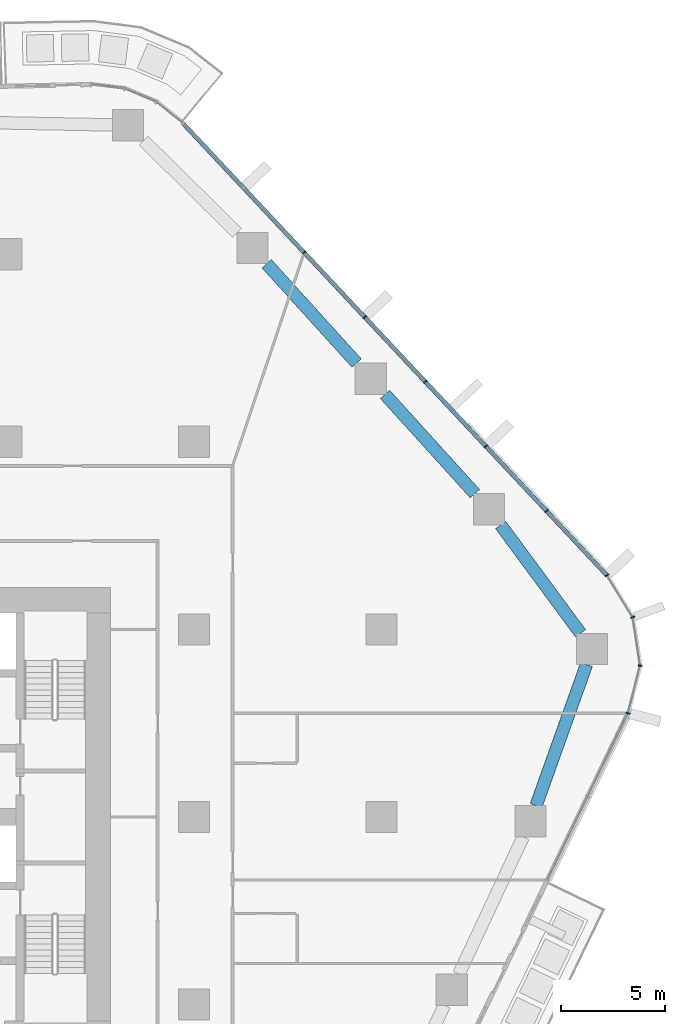
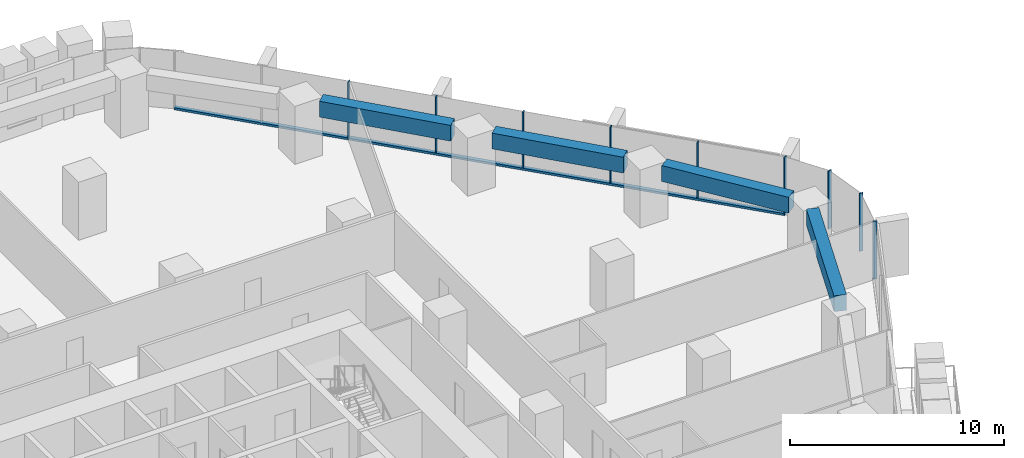
# One storey, part 7 of 24: 10 members, 4 beams, 2 elements without a shape of their own.
"""IFC4 building model written with IfcOpenShell, lengths in metres."""

from ifc_helpers import new_model, si_unit, direction, frame, origin, origin_2d, place, context, subcontext, project, spatial, rectangle, extrude, material, layer, layer_set, material_profile, profile_set, type_object, element, aggregate, save


model = new_model("IFC4")

# Units and contexts
model_context = context("Model", 3, precision=1e-05, world=origin(), true_north=direction((0.0, 1.0)))
body_context = subcontext(model_context, "Body", "Model", "MODEL_VIEW")
ifc_project = project(units=[si_unit("LENGTHUNIT", "METRE"), si_unit("AREAUNIT", "SQUARE_METRE"), si_unit("VOLUMEUNIT", "CUBIC_METRE"), si_unit("PLANEANGLEUNIT", "RADIAN"), si_unit("MASSUNIT", "GRAM", prefix="KILO")], contexts=[model_context])

# Site, building, storey
site_placement = place(None, origin())
site = spatial("IfcSite", under=ifc_project, at=site_placement, CompositionType="ELEMENT")
building_placement = place(site_placement, origin())
building = spatial("IfcBuilding", under=site, at=building_placement, Name="Dongbaek Canopy Tower", CompositionType="ELEMENT")
storey_placement = place(building_placement, frame((0.0, 0.0, 47.699951171875)))
storey = spatial("IfcBuildingStorey", under=building, at=storey_placement, Name="L07", CompositionType="ELEMENT", Elevation=47.699951171875)

# Curtain wall, members
ifc_material_1 = material(Name="Aluminium 6063-T6 pale anodised", Category="aluminium")
ifc_layer = layer(ifc_material_1, 0.199951171875)
ifc_layer_set = layer_set([ifc_layer], Name="CW-1 unitised tower curtain wall")
curtain_wall_type = type_object("IfcCurtainWallType", Name="CW-1 unitised tower curtain wall", PredefinedType="NOTDEFINED", material=ifc_layer_set)
curtain_wall_1_placement = place(storey_placement, origin())
curtain_wall_1 = element("IfcCurtainWall", 1, at=curtain_wall_1_placement, inside=storey, type_object=curtain_wall_type, Name="CW-1 curtain wall K0.1", PredefinedType="NOTDEFINED")
ifc_material_2 = material(Name="Aluminium 6063-T6 pale anodised", Category="aluminium")
ifc_material_profile_1 = material_profile(ifc_material_2, rectangle(XDim=0.199951171875, YDim=0.06005859375, at=origin_2d()), Name="CW-1 mullion 60 x 200")
ifc_profile_set_1 = profile_set([ifc_material_profile_1], Name="Aluminium 6063-T6 pale anodised")
member_type_1 = type_object("IfcMemberType", Name="CW-1 mullion 60 x 200", PredefinedType="MULLION", material=ifc_profile_set_1)
member_1_placement = place(storey_placement, frame((38.8212890625, 4.977294921875, 0.0), z_axis=(0.0, 0.0, 1.0), x_axis=(0.968988452796, -0.247106006298, 0.0)))
member_1 = element("IfcMember", 2, at=member_1_placement, type_object=member_type_1, Name="CW-1 mullion K0.1.1", PredefinedType="MULLION", context=body_context, shape_type="SweptSolid", body=[
    extrude(rectangle(XDim=0.199951171875, YDim=0.06005859375, at=origin_2d()), origin(), (0.0, 0.0, 1.0), 3.300048828125),
])
member_2_placement = place(storey_placement, frame((39.40478515625, 7.264892578125, 0.0), z_axis=(0.0, 0.0, 1.0), x_axis=(0.998796081785, -0.049054938691, 0.0)))
member_2 = element("IfcMember", 3, at=member_2_placement, type_object=member_type_1, Name="CW-1 mullion K0.1.2", PredefinedType="MULLION", context=body_context, shape_type="SweptSolid", body=[
    extrude(rectangle(XDim=0.199951171875, YDim=0.06005859375, at=origin_2d()), origin(), (0.0, 0.0, 1.0), 3.300048828125),
])
member_3_placement = place(storey_placement, frame((39.050048828125, 9.588623046875, 0.0), z_axis=(0.0, 0.0, 1.0), x_axis=(0.938629484797, 0.344927079641, 0.0)))
member_3 = element("IfcMember", 4, at=member_3_placement, type_object=member_type_1, Name="CW-1 mullion K0.1.3", PredefinedType="MULLION", context=body_context, shape_type="SweptSolid", body=[
    extrude(rectangle(XDim=0.199951171875, YDim=0.06005859375, at=origin_2d()), origin(), (0.0, 0.0, 1.0), 3.300048828125),
])
member_4_placement = place(storey_placement, frame((37.810302734375, 11.597900390625, 0.0), z_axis=(0.0, 0.0, 1.0), x_axis=(0.851068704679, 0.525054339964, 0.0)))
member_4 = element("IfcMember", 5, at=member_4_placement, type_object=member_type_1, Name="CW-1 mullion K0.1.4", PredefinedType="MULLION", context=body_context, shape_type="SweptSolid", body=[
    extrude(rectangle(XDim=0.199951171875, YDim=0.06005859375, at=origin_2d()), origin(), (0.0, 0.0, 1.0), 3.300048828125),
])
aggregate(curtain_wall_1, [member_1, member_2, member_3, member_4])

curtain_wall_2_placement = place(storey_placement, origin())
curtain_wall_2 = element("IfcCurtainWall", 6, at=curtain_wall_2_placement, inside=storey, type_object=curtain_wall_type, Name="CW-1 curtain wall F0.1", PredefinedType="NOTDEFINED")
member_5_placement = place(storey_placement, frame((34.910400390625, 14.689453125, 0.1201171875), z_axis=(0.0, 0.0, 1.0), x_axis=(0.729369243815, 0.684120242484, 0.0)))
member_5 = element("IfcMember", 7, at=member_5_placement, type_object=member_type_1, Name="CW-1 mullion F0.1.2", PredefinedType="MULLION", context=body_context, shape_type="SweptSolid", body=[
    extrude(rectangle(XDim=0.199951171875, YDim=0.06005859375, at=origin_2d()), origin(), (0.0, 0.0, 1.0), 3.179931640625),
])
member_6_placement = place(storey_placement, frame((32.003662109375, 17.78857421875, 0.1201171875), z_axis=(0.0, 0.0, 1.0), x_axis=(0.729369243815, 0.684120242484, 0.0)))
member_6 = element("IfcMember", 8, at=member_6_placement, type_object=member_type_1, Name="CW-1 mullion F0.1.3", PredefinedType="MULLION", context=body_context, shape_type="SweptSolid", body=[
    extrude(rectangle(XDim=0.199951171875, YDim=0.06005859375, at=origin_2d()), origin(), (0.0, 0.0, 1.0), 3.179931640625),
])
member_7_placement = place(storey_placement, frame((29.096923828125, 20.8876953125, 0.1201171875), z_axis=(0.0, 0.0, 1.0), x_axis=(0.729369243815, 0.684120242484, 0.0)))
member_7 = element("IfcMember", 9, at=member_7_placement, type_object=member_type_1, Name="CW-1 mullion F0.1.4", PredefinedType="MULLION", context=body_context, shape_type="SweptSolid", body=[
    extrude(rectangle(XDim=0.199951171875, YDim=0.06005859375, at=origin_2d()), origin(), (0.0, 0.0, 1.0), 3.179931640625),
])
member_8_placement = place(storey_placement, frame((26.190185546875, 23.986572265625, 0.1201171875), z_axis=(0.0, 0.0, 1.0), x_axis=(0.729369243815, 0.684120242484, 0.0)))
member_8 = element("IfcMember", 10, at=member_8_placement, type_object=member_type_1, Name="CW-1 mullion F0.1.5", PredefinedType="MULLION", context=body_context, shape_type="SweptSolid", body=[
    extrude(rectangle(XDim=0.199951171875, YDim=0.06005859375, at=origin_2d()), origin(), (0.0, 0.0, 1.0), 3.179931640625),
])
member_9_placement = place(storey_placement, frame((23.283447265625, 27.085693359375, 0.1201171875), z_axis=(0.0, 0.0, 1.0), x_axis=(0.729369243815, 0.684120242484, 0.0)))
member_9 = element("IfcMember", 11, at=member_9_placement, type_object=member_type_1, Name="CW-1 mullion F0.1.6", PredefinedType="MULLION", context=body_context, shape_type="SweptSolid", body=[
    extrude(rectangle(XDim=0.199951171875, YDim=0.06005859375, at=origin_2d()), origin(), (0.0, 0.0, 1.0), 3.179931640625),
])
ifc_material_3 = material(Name="Aluminium 6063-T6 pale anodised", Category="aluminium")
ifc_material_profile_2 = material_profile(ifc_material_3, rectangle(XDim=0.199951171875, YDim=0.1201171875, at=origin_2d()), Name="CW-1 transom 120 x 200")
ifc_profile_set_2 = profile_set([ifc_material_profile_2], Name="Aluminium 6063-T6 pale anodised")
member_type_2 = type_object("IfcMemberType", Name="CW-1 transom 120 x 200", PredefinedType="USERDEFINED", material=ifc_profile_set_2)
member_10_placement = place(storey_placement, frame((37.810302734375, 11.597900390625, 0.06005859375), z_axis=(-0.684121423507, 0.72936813606, 0.0), x_axis=(-0.72936813606, -0.684121423507, 0.0)))
member_10 = element("IfcMember", 12, at=member_10_placement, type_object=member_type_2, Name="CW-1 transom F0.1.1", ObjectType="TRANSOM", PredefinedType="USERDEFINED", context=body_context, shape_type="SweptSolid", body=[
    extrude(rectangle(XDim=0.199951171875, YDim=0.1201171875, at=origin_2d()), origin(), (0.0, 0.0, 1.0), 29.725341796875),
])
aggregate(curtain_wall_2, [member_5, member_6, member_7, member_8, member_9, member_10])

# Beams
ifc_material_4 = material(Name="Concrete C80", Category="concrete")
ifc_material_profile_3 = material_profile(ifc_material_4, rectangle(XDim=0.60009765625, YDim=0.89990234375, at=origin_2d()), Name="RC EDGE BEAM 600x900 C80")
ifc_profile_set_3 = profile_set([ifc_material_profile_3], Name="Concrete C80")
beam_type = type_object("IfcBeamType", Name="RC EDGE BEAM 600x900 C80", PredefinedType="BEAM", material=ifc_profile_set_3)
beam_1_placement = place(storey_placement, frame((21.484375, 26.547119140625, 2.85009765625), z_axis=(0.671288874095, -0.741195822652, 0.0), x_axis=(0.741195822652, 0.671288874095, 0.0)))
element("IfcBeam", 13, at=beam_1_placement, inside=storey, type_object=beam_type, Name="EDGEBEAM:L07:18", PredefinedType="BEAM", context=body_context, shape_type="SweptSolid", body=[
    extrude(rectangle(XDim=0.60009765625, YDim=0.89990234375, at=origin_2d()), origin(), (0.0, 0.0, 1.0), 6.432861328125),
])
beam_2_placement = place(storey_placement, frame((27.1611328125, 20.279052734375, 2.85009765625), z_axis=(0.671226318279, -0.741252473621, 0.0), x_axis=(0.741252473621, 0.671226318279, 0.0)))
element("IfcBeam", 14, at=beam_2_placement, inside=storey, type_object=beam_type, Name="EDGEBEAM:L07:19", PredefinedType="BEAM", context=body_context, shape_type="SweptSolid", body=[
    extrude(rectangle(XDim=0.60009765625, YDim=0.89990234375, at=origin_2d()), origin(), (0.0, 0.0, 1.0), 6.432373046875),
])
beam_3_placement = place(storey_placement, frame((32.71142578125, 14.010986328125, 2.85009765625), z_axis=(0.593731643304, -0.804663119411, 0.0), x_axis=(0.804663119411, 0.593731643304, 0.0)))
element("IfcBeam", 15, at=beam_3_placement, inside=storey, type_object=beam_type, Name="EDGEBEAM:L07:20", PredefinedType="BEAM", context=body_context, shape_type="SweptSolid", body=[
    extrude(rectangle(XDim=0.60009765625, YDim=0.89990234375, at=origin_2d()), origin(), (0.0, 0.0, 1.0), 6.456298828125),
])
beam_4_placement = place(storey_placement, frame((36.830078125, 7.31591796875, 2.85009765625), z_axis=(-0.336456848831, -0.941698884397, 0.0), x_axis=(0.941698884397, -0.336456848831, 0.0)))
element("IfcBeam", 16, at=beam_4_placement, inside=storey, type_object=beam_type, Name="EDGEBEAM:L07:21", PredefinedType="BEAM", context=body_context, shape_type="SweptSolid", body=[
    extrude(rectangle(XDim=0.60009765625, YDim=0.89990234375, at=origin_2d()), origin(), (0.0, 0.0, 1.0), 7.190185546875),
])

save(model, "model.ifc")
